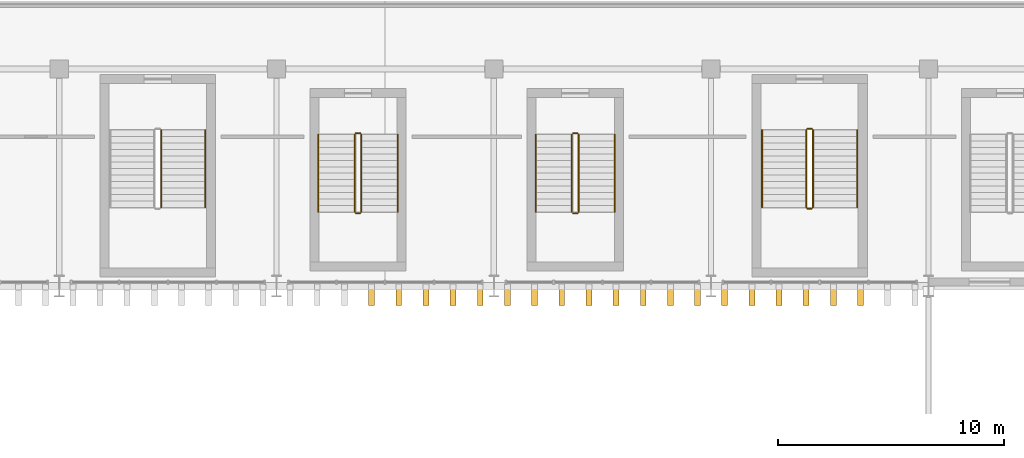
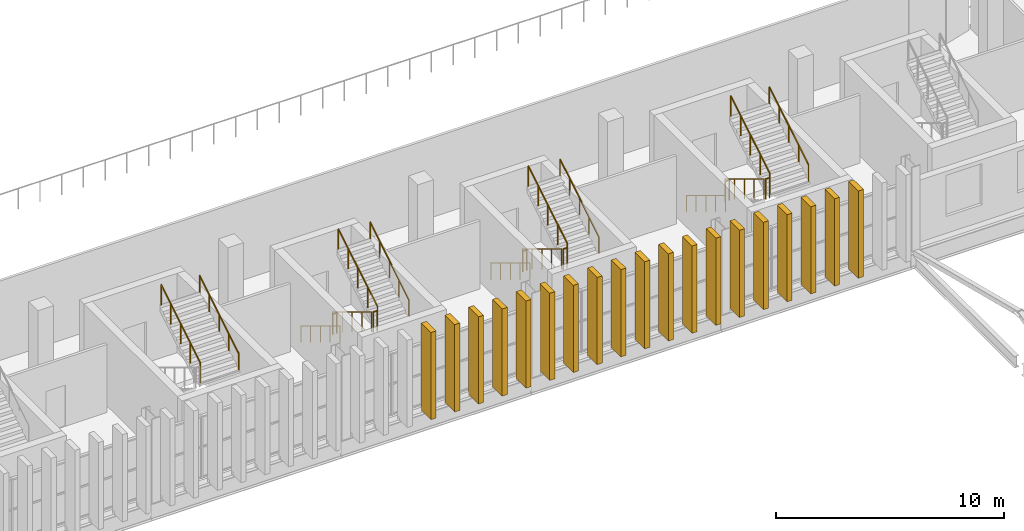
# One storey, part 64 of 75: 20 railings, 19 coverings.
"""IFC4 building model written with IfcOpenShell, lengths in metres."""

from ifc_helpers import new_model, si_unit, direction, frame, origin, origin_2d, place, context, subcontext, project, spatial, rectangle, circle, extrude, material, material_profile, profile_set, type_object, element, save


model = new_model("IFC4")

# Units and contexts
model_context = context("Model", 3, precision=1e-05, world=origin(), true_north=direction((0.0, 1.0)))
body_context = subcontext(model_context, "Body", "Model", "MODEL_VIEW")
ifc_project = project(units=[si_unit("LENGTHUNIT", "METRE"), si_unit("AREAUNIT", "SQUARE_METRE"), si_unit("VOLUMEUNIT", "CUBIC_METRE"), si_unit("PLANEANGLEUNIT", "RADIAN"), si_unit("MASSUNIT", "GRAM", prefix="KILO")], contexts=[model_context])

# Site, building, storey
site_placement = place(None, origin())
site = spatial("IfcSite", under=ifc_project, at=site_placement, CompositionType="ELEMENT")
building_placement = place(site_placement, origin())
building = spatial("IfcBuilding", under=site, at=building_placement, Name="Caelomonte Colonnade Arena", CompositionType="ELEMENT")
storey_placement = place(building_placement, frame((0.0, 0.0, 14.10009765625)))
storey = spatial("IfcBuildingStorey", under=building, at=storey_placement, Name="L03", CompositionType="ELEMENT", Elevation=14.10009765625)

# Coverings
ifc_material_1 = material(Name="Precast travertine cladding", Category="masonry")
ifc_material_profile = material_profile(ifc_material_1, rectangle(XDim=0.260009765625, YDim=0.85009765625, at=origin_2d()), Name="FIN260X850")
ifc_profile_set = profile_set([ifc_material_profile], Name="Precast travertine cladding")
covering_type = type_object("IfcCoveringType", Name="ENV-FN-SHAFT", PredefinedType="CLADDING", material=ifc_profile_set)
for number, where, z_axis, x_axis, name in (
    (1, (109.800048828125, 18.779052734375, -0.16015625), (0.0, 0.0, 1.0), (-1.0, 0.0, 0.0), "V1 L03 classical travertine vertical fin 265"),
    (2, (111.0, 18.779052734375, -0.16015625), (0.0, 0.0, 1.0), (-1.0, 0.0, 0.0), "V1 L03 classical travertine vertical fin 266"),
    (3, (112.199951171875, 18.779052734375, -0.16015625), (0.0, 0.0, 1.0), (-1.0, 0.0, 0.0), "V1 L03 classical travertine vertical fin 267"),
    (4, (113.39990234375, 18.779052734375, -0.16015625), (0.0, 0.0, 1.0), (-1.0, 0.0, 0.0), "V1 L03 classical travertine vertical fin 268"),
    (5, (114.60009765625, 18.779052734375, -0.16015625), (0.0, 0.0, 1.0), (-1.0, 0.0, 0.0), "V1 L03 classical travertine vertical fin 269"),
    (6, (115.800048828125, 18.779052734375, -0.16015625), (0.0, 0.0, 1.0), (-1.0, 0.0, 0.0), "V1 L03 classical travertine vertical fin 270"),
    (7, (117.0, 18.779052734375, -0.16015625), (0.0, 0.0, 1.0), (-1.0, 0.0, 0.0), "V1 L03 classical travertine vertical fin 271"),
    (8, (118.199951171875, 18.779052734375, -0.16015625), (0.0, 0.0, 1.0), (-1.0, 0.0, 0.0), "V1 L03 classical travertine vertical fin 272"),
    (9, (119.39990234375, 18.779052734375, -0.16015625), (0.0, 0.0, 1.0), (-1.0, 0.0, 0.0), "V1 L03 classical travertine vertical fin 273"),
    (10, (120.60009765625, 18.779052734375, -0.16015625), (0.0, 0.0, 1.0), (-1.0, 0.0, 0.0), "V1 L03 classical travertine vertical fin 274"),
    (11, (121.800048828125, 18.779052734375, -0.16015625), (0.0, 0.0, 1.0), (-1.0, 0.0, 0.0), "V1 L03 classical travertine vertical fin 275"),
    (12, (123.0, 18.779052734375, -0.16015625), (0.0, 0.0, 1.0), (-1.0, 0.0, 0.0), "V1 L03 classical travertine vertical fin 276"),
    (13, (124.199951171875, 18.779052734375, -0.16015625), (0.0, 0.0, 1.0), (-1.0, 0.0, 0.0), "V1 L03 classical travertine vertical fin 277"),
    (14, (125.39990234375, 18.779052734375, -0.16015625), (0.0, 0.0, 1.0), (-1.0, 0.0, 0.0), "V1 L03 classical travertine vertical fin 278"),
    (15, (126.60009765625, 18.779052734375, -0.16015625), (0.0, 0.0, 1.0), (-1.0, 0.0, 0.0), "V1 L03 classical travertine vertical fin 279"),
    (16, (127.800048828125, 18.779052734375, -0.16015625), (0.0, 0.0, 1.0), (-1.0, 0.0, 0.0), "V1 L03 classical travertine vertical fin 280"),
    (17, (129.0, 18.779052734375, -0.16015625), (0.0, 0.0, 1.0), (-1.0, 0.0, 0.0), "V1 L03 classical travertine vertical fin 281"),
    (18, (130.199951171875, 18.779052734375, -0.16015625), (0.0, 0.0, 1.0), (-1.0, 0.0, 0.0), "V1 L03 classical travertine vertical fin 282"),
    (19, (131.39990234375, 18.779052734375, -0.16015625), (0.0, 0.0, 1.0), (-1.0, 0.0, 0.0), "V1 L03 classical travertine vertical fin 283"),
):
    element("IfcCovering", number, at=place(storey_placement, frame(where, z_axis=z_axis, x_axis=x_axis)), inside=storey, type_object=covering_type, Name=name, PredefinedType="CLADDING", context=body_context, shape_type="SweptSolid", body=[
        extrude(rectangle(XDim=0.260009765625, YDim=0.85009765625, at=origin_2d()), origin(), (0.0, 0.0, 1.0), 4.66015625),
    ])

# Railings
ifc_material_2 = material(Name="Painted galvanized steel stair guard", Category="steel")
railing_type_1 = type_object("IfcRailingType", Name="INT-RL-GRD", PredefinedType="GUARDRAIL", material=ifc_material_2)
railing_1_placement = place(storey_placement, frame((100.5, 22.679931640625, 2.423095703125)))
element("IfcRailing", 20, at=railing_1_placement, inside=storey, type_object=railing_type_1, Name="L03 ST-12 stair guard 3", PredefinedType="GUARDRAIL", context=body_context, shape_type="SweptSolid", body=[
    extrude(circle(Radius=0.02392578125, at=origin_2d()), frame((0.0, 0.0, 1.076171875), z_axis=(0.0, 0.854745945586, 0.519046595696), x_axis=(-1.0, 0.0, 0.0)), (0.0, 0.0, 1.0), 4.00146484375),
    extrude(circle(Radius=0.02099609375, at=origin_2d()), origin(), (0.0, 0.0, 1.0), 1.048095703125),
    extrude(circle(Radius=0.02099609375, at=origin_2d()), frame((0.0, 0.85498046875, 0.519287109375)), (0.0, 0.0, 1.0), 1.048095703125),
    extrude(circle(Radius=0.02099609375, at=origin_2d()), frame((0.0, 1.7099609375, 1.03857421875)), (0.0, 0.0, 1.0), 1.048095703125),
    extrude(circle(Radius=0.02099609375, at=origin_2d()), frame((0.0, 2.565185546875, 1.5576171875)), (0.0, 0.0, 1.0), 1.048095703125),
    extrude(circle(Radius=0.02099609375, at=origin_2d()), frame((0.0, 3.420166015625, 2.076904296875)), (0.0, 0.0, 1.0), 1.048095703125),
])
railing_2_placement = place(storey_placement, frame((129.0, 26.10009765625, 0.173095703125)))
element("IfcRailing", 21, at=railing_2_placement, inside=storey, type_object=railing_type_1, Name="L03 ST-13 stair guard 1", PredefinedType="GUARDRAIL", context=body_context, shape_type="SweptSolid", body=[
    extrude(circle(Radius=0.02392578125, at=origin_2d()), frame((0.0, 0.0, 1.076171875), z_axis=(0.0, -0.854745945586, 0.519046595696), x_axis=(1.0, 0.0, 0.0)), (0.0, 0.0, 1.0), 4.00146484375),
    extrude(circle(Radius=0.02099609375, at=origin_2d()), origin(), (0.0, 0.0, 1.0), 1.048095703125),
    extrude(circle(Radius=0.02099609375, at=origin_2d()), frame((0.0, -0.85498046875, 0.519287109375)), (0.0, 0.0, 1.0), 1.048095703125),
    extrude(circle(Radius=0.02099609375, at=origin_2d()), frame((0.0, -1.7099609375, 1.03857421875)), (0.0, 0.0, 1.0), 1.048095703125),
    extrude(circle(Radius=0.02099609375, at=origin_2d()), frame((0.0, -2.565185546875, 1.5576171875)), (0.0, 0.0, 1.0), 1.048095703125),
    extrude(circle(Radius=0.02099609375, at=origin_2d()), frame((0.0, -3.420166015625, 2.076904296875)), (0.0, 0.0, 1.0), 1.048095703125),
])
railing_3_placement = place(storey_placement, frame((129.050048828125, 22.6298828125, 2.25)))
element("IfcRailing", 22, at=railing_3_placement, inside=storey, type_object=railing_type_1, Name="L03 ST-13 stair guard 2", PredefinedType="GUARDRAIL", context=body_context, shape_type="SweptSolid", body=[
    extrude(circle(Radius=0.02392578125, at=origin_2d()), frame((0.0, 0.0, 1.076171875), z_axis=(1.0, 0.0, 0.0), x_axis=(0.0, 1.0, 0.0)), (0.0, 0.0, 1.0), 0.199951171875),
    extrude(circle(Radius=0.02099609375, at=origin_2d()), origin(), (0.0, 0.0, 1.0), 1.048095703125),
    extrude(circle(Radius=0.02099609375, at=origin_2d()), frame((0.199951171875, 0.0, 0.0)), (0.0, 0.0, 1.0), 1.048095703125),
])
railing_4_placement = place(storey_placement, frame((129.300048828125, 22.679931640625, 2.423095703125)))
element("IfcRailing", 23, at=railing_4_placement, inside=storey, type_object=railing_type_1, Name="L03 ST-13 stair guard 3", PredefinedType="GUARDRAIL", context=body_context, shape_type="SweptSolid", body=[
    extrude(circle(Radius=0.02392578125, at=origin_2d()), frame((0.0, 0.0, 1.076171875), z_axis=(0.0, 0.854745945586, 0.519046595696), x_axis=(-1.0, 0.0, 0.0)), (0.0, 0.0, 1.0), 4.00146484375),
    extrude(circle(Radius=0.02099609375, at=origin_2d()), origin(), (0.0, 0.0, 1.0), 1.048095703125),
    extrude(circle(Radius=0.02099609375, at=origin_2d()), frame((0.0, 0.85498046875, 0.519287109375)), (0.0, 0.0, 1.0), 1.048095703125),
    extrude(circle(Radius=0.02099609375, at=origin_2d()), frame((0.0, 1.7099609375, 1.03857421875)), (0.0, 0.0, 1.0), 1.048095703125),
    extrude(circle(Radius=0.02099609375, at=origin_2d()), frame((0.0, 2.565185546875, 1.5576171875)), (0.0, 0.0, 1.0), 1.048095703125),
    extrude(circle(Radius=0.02099609375, at=origin_2d()), frame((0.0, 3.420166015625, 2.076904296875)), (0.0, 0.0, 1.0), 1.048095703125),
])
railing_5_placement = place(storey_placement, frame((129.050048828125, 26.14990234375, 0.0)))
element("IfcRailing", 24, at=railing_5_placement, inside=storey, type_object=railing_type_1, Name="L03 ST-13 stair guard 4", PredefinedType="GUARDRAIL", context=body_context, shape_type="SweptSolid", body=[
    extrude(circle(Radius=0.02392578125, at=origin_2d()), frame((0.0, 0.0, 1.076171875), z_axis=(1.0, 0.0, 0.0), x_axis=(0.0, 1.0, 0.0)), (0.0, 0.0, 1.0), 0.199951171875),
    extrude(circle(Radius=0.02099609375, at=origin_2d()), origin(), (0.0, 0.0, 1.0), 1.048095703125),
    extrude(circle(Radius=0.02099609375, at=origin_2d()), frame((0.199951171875, 0.0, 0.0)), (0.0, 0.0, 1.0), 1.048095703125),
])
railing_6_placement = place(storey_placement, frame((109.050048828125, 25.89990234375, 0.173095703125)))
element("IfcRailing", 25, at=railing_6_placement, inside=storey, type_object=railing_type_1, Name="L03 ST-V10 stair guard 1", PredefinedType="GUARDRAIL", context=body_context, shape_type="SweptSolid", body=[
    extrude(circle(Radius=0.02392578125, at=origin_2d()), frame((0.0, 0.0, 1.076171875), z_axis=(0.0, -0.854729506542, 0.519073665916), x_axis=(1.0, 0.0, 0.0)), (0.0, 0.0, 1.0), 4.001220703125),
    extrude(circle(Radius=0.02099609375, at=origin_2d()), origin(), (0.0, 0.0, 1.0), 1.048095703125),
    extrude(circle(Radius=0.02099609375, at=origin_2d()), frame((0.0, -0.85498046875, 0.519287109375)), (0.0, 0.0, 1.0), 1.048095703125),
    extrude(circle(Radius=0.02099609375, at=origin_2d()), frame((0.0, -1.7099609375, 1.03857421875)), (0.0, 0.0, 1.0), 1.048095703125),
    extrude(circle(Radius=0.02099609375, at=origin_2d()), frame((0.0, -2.56494140625, 1.5576171875)), (0.0, 0.0, 1.0), 1.048095703125),
    extrude(circle(Radius=0.02099609375, at=origin_2d()), frame((0.0, -3.419921875, 2.076904296875)), (0.0, 0.0, 1.0), 1.048095703125),
])
railing_7_placement = place(storey_placement, frame((109.10009765625, 22.429931640625, 2.25)))
element("IfcRailing", 26, at=railing_7_placement, inside=storey, type_object=railing_type_1, Name="L03 ST-V10 stair guard 2", PredefinedType="GUARDRAIL", context=body_context, shape_type="SweptSolid", body=[
    extrude(circle(Radius=0.02392578125, at=origin_2d()), frame((0.0, 0.0, 1.076171875), z_axis=(1.0, 0.0, 0.0), x_axis=(0.0, 1.0, 0.0)), (0.0, 0.0, 1.0), 0.199951171875),
    extrude(circle(Radius=0.02099609375, at=origin_2d()), origin(), (0.0, 0.0, 1.0), 1.048095703125),
    extrude(circle(Radius=0.02099609375, at=origin_2d()), frame((0.199951171875, 0.0, 0.0)), (0.0, 0.0, 1.0), 1.048095703125),
])
railing_8_placement = place(storey_placement, frame((109.35009765625, 22.47998046875, 2.423095703125)))
element("IfcRailing", 27, at=railing_8_placement, inside=storey, type_object=railing_type_1, Name="L03 ST-V10 stair guard 3", PredefinedType="GUARDRAIL", context=body_context, shape_type="SweptSolid", body=[
    extrude(circle(Radius=0.02392578125, at=origin_2d()), frame((0.0, 0.0, 1.076171875), z_axis=(0.0, 0.854729506542, 0.519073665916), x_axis=(-1.0, 0.0, 0.0)), (0.0, 0.0, 1.0), 4.001220703125),
    extrude(circle(Radius=0.02099609375, at=origin_2d()), origin(), (0.0, 0.0, 1.0), 1.048095703125),
    extrude(circle(Radius=0.02099609375, at=origin_2d()), frame((0.0, 0.85498046875, 0.519287109375)), (0.0, 0.0, 1.0), 1.048095703125),
    extrude(circle(Radius=0.02099609375, at=origin_2d()), frame((0.0, 1.7099609375, 1.03857421875)), (0.0, 0.0, 1.0), 1.048095703125),
    extrude(circle(Radius=0.02099609375, at=origin_2d()), frame((0.0, 2.56494140625, 1.5576171875)), (0.0, 0.0, 1.0), 1.048095703125),
    extrude(circle(Radius=0.02099609375, at=origin_2d()), frame((0.0, 3.419921875, 2.076904296875)), (0.0, 0.0, 1.0), 1.048095703125),
])
railing_9_placement = place(storey_placement, frame((109.10009765625, 25.949951171875, 0.0)))
element("IfcRailing", 28, at=railing_9_placement, inside=storey, type_object=railing_type_1, Name="L03 ST-V10 stair guard 4", PredefinedType="GUARDRAIL", context=body_context, shape_type="SweptSolid", body=[
    extrude(circle(Radius=0.02392578125, at=origin_2d()), frame((0.0, 0.0, 1.076171875), z_axis=(1.0, 0.0, 0.0), x_axis=(0.0, 1.0, 0.0)), (0.0, 0.0, 1.0), 0.199951171875),
    extrude(circle(Radius=0.02099609375, at=origin_2d()), origin(), (0.0, 0.0, 1.0), 1.048095703125),
    extrude(circle(Radius=0.02099609375, at=origin_2d()), frame((0.199951171875, 0.0, 0.0)), (0.0, 0.0, 1.0), 1.048095703125),
])
railing_10_placement = place(storey_placement, frame((118.64990234375, 25.89990234375, 0.173095703125)))
element("IfcRailing", 29, at=railing_10_placement, inside=storey, type_object=railing_type_1, Name="L03 ST-V11 stair guard 1", PredefinedType="GUARDRAIL", context=body_context, shape_type="SweptSolid", body=[
    extrude(circle(Radius=0.02392578125, at=origin_2d()), frame((0.0, 0.0, 1.076171875), z_axis=(0.0, -0.854729506542, 0.519073665916), x_axis=(1.0, 0.0, 0.0)), (0.0, 0.0, 1.0), 4.001220703125),
    extrude(circle(Radius=0.02099609375, at=origin_2d()), origin(), (0.0, 0.0, 1.0), 1.048095703125),
    extrude(circle(Radius=0.02099609375, at=origin_2d()), frame((0.0, -0.85498046875, 0.519287109375)), (0.0, 0.0, 1.0), 1.048095703125),
    extrude(circle(Radius=0.02099609375, at=origin_2d()), frame((0.0, -1.7099609375, 1.03857421875)), (0.0, 0.0, 1.0), 1.048095703125),
    extrude(circle(Radius=0.02099609375, at=origin_2d()), frame((0.0, -2.56494140625, 1.5576171875)), (0.0, 0.0, 1.0), 1.048095703125),
    extrude(circle(Radius=0.02099609375, at=origin_2d()), frame((0.0, -3.419921875, 2.076904296875)), (0.0, 0.0, 1.0), 1.048095703125),
])
railing_11_placement = place(storey_placement, frame((118.699951171875, 22.429931640625, 2.25)))
element("IfcRailing", 30, at=railing_11_placement, inside=storey, type_object=railing_type_1, Name="L03 ST-V11 stair guard 2", PredefinedType="GUARDRAIL", context=body_context, shape_type="SweptSolid", body=[
    extrude(circle(Radius=0.02392578125, at=origin_2d()), frame((0.0, 0.0, 1.076171875), z_axis=(1.0, 0.0, 0.0), x_axis=(0.0, 1.0, 0.0)), (0.0, 0.0, 1.0), 0.199951171875),
    extrude(circle(Radius=0.02099609375, at=origin_2d()), origin(), (0.0, 0.0, 1.0), 1.048095703125),
    extrude(circle(Radius=0.02099609375, at=origin_2d()), frame((0.199951171875, 0.0, 0.0)), (0.0, 0.0, 1.0), 1.048095703125),
])
railing_12_placement = place(storey_placement, frame((118.949951171875, 22.47998046875, 2.423095703125)))
element("IfcRailing", 31, at=railing_12_placement, inside=storey, type_object=railing_type_1, Name="L03 ST-V11 stair guard 3", PredefinedType="GUARDRAIL", context=body_context, shape_type="SweptSolid", body=[
    extrude(circle(Radius=0.02392578125, at=origin_2d()), frame((0.0, 0.0, 1.076171875), z_axis=(0.0, 0.854729506542, 0.519073665916), x_axis=(-1.0, 0.0, 0.0)), (0.0, 0.0, 1.0), 4.001220703125),
    extrude(circle(Radius=0.02099609375, at=origin_2d()), origin(), (0.0, 0.0, 1.0), 1.048095703125),
    extrude(circle(Radius=0.02099609375, at=origin_2d()), frame((0.0, 0.85498046875, 0.519287109375)), (0.0, 0.0, 1.0), 1.048095703125),
    extrude(circle(Radius=0.02099609375, at=origin_2d()), frame((0.0, 1.7099609375, 1.03857421875)), (0.0, 0.0, 1.0), 1.048095703125),
    extrude(circle(Radius=0.02099609375, at=origin_2d()), frame((0.0, 2.56494140625, 1.5576171875)), (0.0, 0.0, 1.0), 1.048095703125),
    extrude(circle(Radius=0.02099609375, at=origin_2d()), frame((0.0, 3.419921875, 2.076904296875)), (0.0, 0.0, 1.0), 1.048095703125),
])
railing_13_placement = place(storey_placement, frame((118.699951171875, 25.949951171875, 0.0)))
element("IfcRailing", 32, at=railing_13_placement, inside=storey, type_object=railing_type_1, Name="L03 ST-V11 stair guard 4", PredefinedType="GUARDRAIL", context=body_context, shape_type="SweptSolid", body=[
    extrude(circle(Radius=0.02392578125, at=origin_2d()), frame((0.0, 0.0, 1.076171875), z_axis=(1.0, 0.0, 0.0), x_axis=(0.0, 1.0, 0.0)), (0.0, 0.0, 1.0), 0.199951171875),
    extrude(circle(Radius=0.02099609375, at=origin_2d()), origin(), (0.0, 0.0, 1.0), 1.048095703125),
    extrude(circle(Radius=0.02099609375, at=origin_2d()), frame((0.199951171875, 0.0, 0.0)), (0.0, 0.0, 1.0), 1.048095703125),
])
ifc_material_3 = material(Name="Brushed stainless steel stair handrail", Category="steel")
railing_type_2 = type_object("IfcRailingType", Name="INT-RL-HR", PredefinedType="HANDRAIL", material=ifc_material_3)
railing_14_placement = place(storey_placement, frame((102.449951171875, 22.679931640625, 2.423095703125)))
element("IfcRailing", 33, at=railing_14_placement, inside=storey, type_object=railing_type_2, Name="L03 ST-12 stair handrail 2", PredefinedType="HANDRAIL", context=body_context, shape_type="SweptSolid", body=[
    extrude(circle(Radius=0.02392578125, at=origin_2d()), frame((0.0, 0.0, 0.8759765625), z_axis=(0.0, 0.854745945586, 0.519046595696), x_axis=(-1.0, 0.0, 0.0)), (0.0, 0.0, 1.0), 4.00146484375),
    extrude(circle(Radius=0.02099609375, at=origin_2d()), origin(), (0.0, 0.0, 1.0), 0.847900390625),
    extrude(circle(Radius=0.02099609375, at=origin_2d()), frame((0.0, 0.85498046875, 0.519287109375)), (0.0, 0.0, 1.0), 0.847900390625),
    extrude(circle(Radius=0.02099609375, at=origin_2d()), frame((0.0, 1.7099609375, 1.03857421875)), (0.0, 0.0, 1.0), 0.847900390625),
    extrude(circle(Radius=0.02099609375, at=origin_2d()), frame((0.0, 2.565185546875, 1.5576171875)), (0.0, 0.0, 1.0), 0.847900390625),
    extrude(circle(Radius=0.02099609375, at=origin_2d()), frame((0.0, 3.420166015625, 2.076904296875)), (0.0, 0.0, 1.0), 0.847900390625),
])
railing_15_placement = place(storey_placement, frame((127.050048828125, 26.10009765625, 0.173095703125)))
element("IfcRailing", 34, at=railing_15_placement, inside=storey, type_object=railing_type_2, Name="L03 ST-13 stair handrail 1", PredefinedType="HANDRAIL", context=body_context, shape_type="SweptSolid", body=[
    extrude(circle(Radius=0.02392578125, at=origin_2d()), frame((0.0, 0.0, 0.8759765625), z_axis=(0.0, -0.854745945586, 0.519046595696), x_axis=(1.0, 0.0, 0.0)), (0.0, 0.0, 1.0), 4.00146484375),
    extrude(circle(Radius=0.02099609375, at=origin_2d()), origin(), (0.0, 0.0, 1.0), 0.847900390625),
    extrude(circle(Radius=0.02099609375, at=origin_2d()), frame((0.0, -0.85498046875, 0.519287109375)), (0.0, 0.0, 1.0), 0.847900390625),
    extrude(circle(Radius=0.02099609375, at=origin_2d()), frame((0.0, -1.7099609375, 1.03857421875)), (0.0, 0.0, 1.0), 0.847900390625),
    extrude(circle(Radius=0.02099609375, at=origin_2d()), frame((0.0, -2.565185546875, 1.5576171875)), (0.0, 0.0, 1.0), 0.847900390625),
    extrude(circle(Radius=0.02099609375, at=origin_2d()), frame((0.0, -3.420166015625, 2.076904296875)), (0.0, 0.0, 1.0), 0.847900390625),
])
railing_16_placement = place(storey_placement, frame((131.25, 22.679931640625, 2.423095703125)))
element("IfcRailing", 35, at=railing_16_placement, inside=storey, type_object=railing_type_2, Name="L03 ST-13 stair handrail 2", PredefinedType="HANDRAIL", context=body_context, shape_type="SweptSolid", body=[
    extrude(circle(Radius=0.02392578125, at=origin_2d()), frame((0.0, 0.0, 0.8759765625), z_axis=(0.0, 0.854745945586, 0.519046595696), x_axis=(-1.0, 0.0, 0.0)), (0.0, 0.0, 1.0), 4.00146484375),
    extrude(circle(Radius=0.02099609375, at=origin_2d()), origin(), (0.0, 0.0, 1.0), 0.847900390625),
    extrude(circle(Radius=0.02099609375, at=origin_2d()), frame((0.0, 0.85498046875, 0.519287109375)), (0.0, 0.0, 1.0), 0.847900390625),
    extrude(circle(Radius=0.02099609375, at=origin_2d()), frame((0.0, 1.7099609375, 1.03857421875)), (0.0, 0.0, 1.0), 0.847900390625),
    extrude(circle(Radius=0.02099609375, at=origin_2d()), frame((0.0, 2.565185546875, 1.5576171875)), (0.0, 0.0, 1.0), 0.847900390625),
    extrude(circle(Radius=0.02099609375, at=origin_2d()), frame((0.0, 3.420166015625, 2.076904296875)), (0.0, 0.0, 1.0), 0.847900390625),
])
railing_17_placement = place(storey_placement, frame((107.449951171875, 25.89990234375, 0.173095703125)))
element("IfcRailing", 36, at=railing_17_placement, inside=storey, type_object=railing_type_2, Name="L03 ST-V10 stair handrail 1", PredefinedType="HANDRAIL", context=body_context, shape_type="SweptSolid", body=[
    extrude(circle(Radius=0.02392578125, at=origin_2d()), frame((0.0, 0.0, 0.8759765625), z_axis=(0.0, -0.854729506542, 0.519073665916), x_axis=(1.0, 0.0, 0.0)), (0.0, 0.0, 1.0), 4.001220703125),
    extrude(circle(Radius=0.02099609375, at=origin_2d()), origin(), (0.0, 0.0, 1.0), 0.847900390625),
    extrude(circle(Radius=0.02099609375, at=origin_2d()), frame((0.0, -0.85498046875, 0.519287109375)), (0.0, 0.0, 1.0), 0.847900390625),
    extrude(circle(Radius=0.02099609375, at=origin_2d()), frame((0.0, -1.7099609375, 1.03857421875)), (0.0, 0.0, 1.0), 0.847900390625),
    extrude(circle(Radius=0.02099609375, at=origin_2d()), frame((0.0, -2.56494140625, 1.5576171875)), (0.0, 0.0, 1.0), 0.847900390625),
    extrude(circle(Radius=0.02099609375, at=origin_2d()), frame((0.0, -3.419921875, 2.076904296875)), (0.0, 0.0, 1.0), 0.847900390625),
])
railing_18_placement = place(storey_placement, frame((110.949951171875, 22.47998046875, 2.423095703125)))
element("IfcRailing", 37, at=railing_18_placement, inside=storey, type_object=railing_type_2, Name="L03 ST-V10 stair handrail 2", PredefinedType="HANDRAIL", context=body_context, shape_type="SweptSolid", body=[
    extrude(circle(Radius=0.02392578125, at=origin_2d()), frame((0.0, 0.0, 0.8759765625), z_axis=(0.0, 0.854729506542, 0.519073665916), x_axis=(-1.0, 0.0, 0.0)), (0.0, 0.0, 1.0), 4.001220703125),
    extrude(circle(Radius=0.02099609375, at=origin_2d()), origin(), (0.0, 0.0, 1.0), 0.847900390625),
    extrude(circle(Radius=0.02099609375, at=origin_2d()), frame((0.0, 0.85498046875, 0.519287109375)), (0.0, 0.0, 1.0), 0.847900390625),
    extrude(circle(Radius=0.02099609375, at=origin_2d()), frame((0.0, 1.7099609375, 1.03857421875)), (0.0, 0.0, 1.0), 0.847900390625),
    extrude(circle(Radius=0.02099609375, at=origin_2d()), frame((0.0, 2.56494140625, 1.5576171875)), (0.0, 0.0, 1.0), 0.847900390625),
    extrude(circle(Radius=0.02099609375, at=origin_2d()), frame((0.0, 3.419921875, 2.076904296875)), (0.0, 0.0, 1.0), 0.847900390625),
])
railing_19_placement = place(storey_placement, frame((117.050048828125, 25.89990234375, 0.173095703125)))
element("IfcRailing", 38, at=railing_19_placement, inside=storey, type_object=railing_type_2, Name="L03 ST-V11 stair handrail 1", PredefinedType="HANDRAIL", context=body_context, shape_type="SweptSolid", body=[
    extrude(circle(Radius=0.02392578125, at=origin_2d()), frame((0.0, 0.0, 0.8759765625), z_axis=(0.0, -0.854729506542, 0.519073665916), x_axis=(1.0, 0.0, 0.0)), (0.0, 0.0, 1.0), 4.001220703125),
    extrude(circle(Radius=0.02099609375, at=origin_2d()), origin(), (0.0, 0.0, 1.0), 0.847900390625),
    extrude(circle(Radius=0.02099609375, at=origin_2d()), frame((0.0, -0.85498046875, 0.519287109375)), (0.0, 0.0, 1.0), 0.847900390625),
    extrude(circle(Radius=0.02099609375, at=origin_2d()), frame((0.0, -1.7099609375, 1.03857421875)), (0.0, 0.0, 1.0), 0.847900390625),
    extrude(circle(Radius=0.02099609375, at=origin_2d()), frame((0.0, -2.56494140625, 1.5576171875)), (0.0, 0.0, 1.0), 0.847900390625),
    extrude(circle(Radius=0.02099609375, at=origin_2d()), frame((0.0, -3.419921875, 2.076904296875)), (0.0, 0.0, 1.0), 0.847900390625),
])
railing_20_placement = place(storey_placement, frame((120.550048828125, 22.47998046875, 2.423095703125)))
element("IfcRailing", 39, at=railing_20_placement, inside=storey, type_object=railing_type_2, Name="L03 ST-V11 stair handrail 2", PredefinedType="HANDRAIL", context=body_context, shape_type="SweptSolid", body=[
    extrude(circle(Radius=0.02392578125, at=origin_2d()), frame((0.0, 0.0, 0.8759765625), z_axis=(0.0, 0.854729506542, 0.519073665916), x_axis=(-1.0, 0.0, 0.0)), (0.0, 0.0, 1.0), 4.001220703125),
    extrude(circle(Radius=0.02099609375, at=origin_2d()), origin(), (0.0, 0.0, 1.0), 0.847900390625),
    extrude(circle(Radius=0.02099609375, at=origin_2d()), frame((0.0, 0.85498046875, 0.519287109375)), (0.0, 0.0, 1.0), 0.847900390625),
    extrude(circle(Radius=0.02099609375, at=origin_2d()), frame((0.0, 1.7099609375, 1.03857421875)), (0.0, 0.0, 1.0), 0.847900390625),
    extrude(circle(Radius=0.02099609375, at=origin_2d()), frame((0.0, 2.56494140625, 1.5576171875)), (0.0, 0.0, 1.0), 0.847900390625),
    extrude(circle(Radius=0.02099609375, at=origin_2d()), frame((0.0, 3.419921875, 2.076904296875)), (0.0, 0.0, 1.0), 0.847900390625),
])

save(model, "model.ifc")
